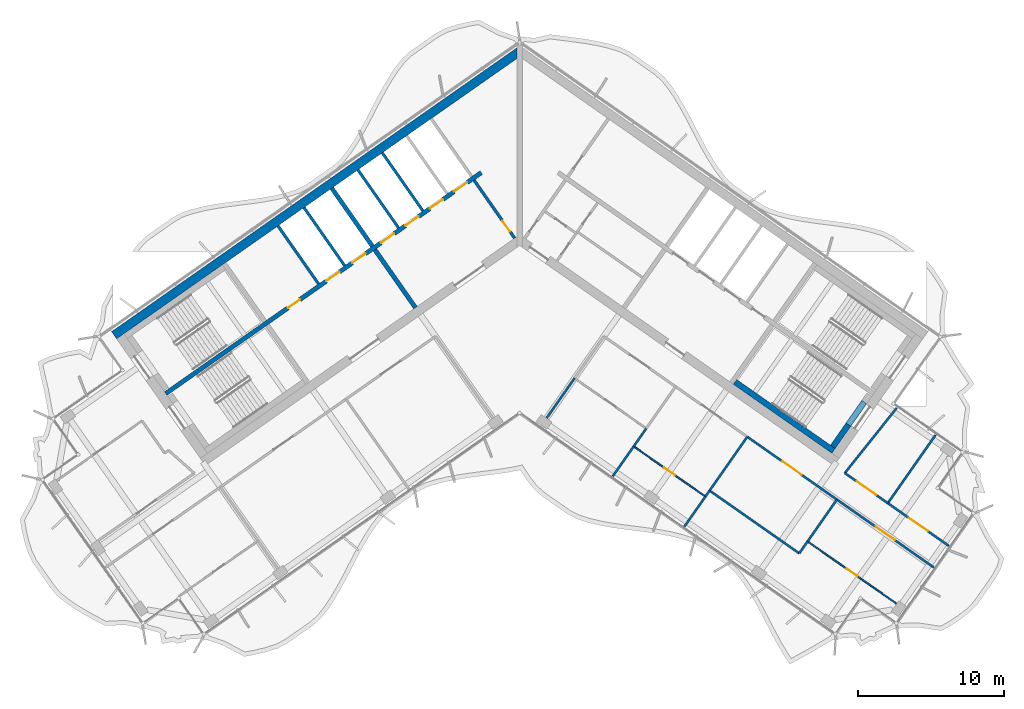
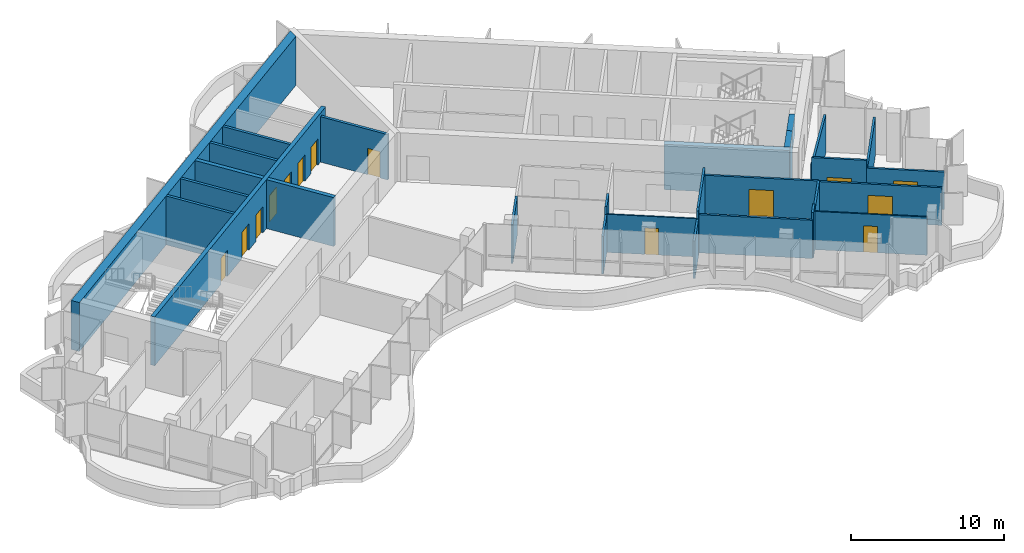
# One storey, part 10 of 18: 29 walls, 14 doors, 14 openings.
"""IFC4 building model written with IfcOpenShell, lengths in metres."""

from ifc_helpers import new_model, si_unit, direction, frame, frame_2d, origin, place, context, subcontext, project, spatial, polyline, rectangle, outline, extrude, material, layer, layer_set, type_object, element, fill, save


model = new_model("IFC4")

# Units and contexts
model_context = context("Model", 3, precision=1e-05, world=origin(), true_north=direction((0.0, 1.0)))
body_context = subcontext(model_context, "Body", "Model", "MODEL_VIEW")
ifc_project = project(units=[si_unit("LENGTHUNIT", "METRE"), si_unit("AREAUNIT", "SQUARE_METRE"), si_unit("VOLUMEUNIT", "CUBIC_METRE"), si_unit("PLANEANGLEUNIT", "RADIAN"), si_unit("MASSUNIT", "GRAM", prefix="KILO")], contexts=[model_context])

# Site, building, storey
site_placement = place(None, origin())
site = spatial("IfcSite", under=ifc_project, at=site_placement, CompositionType="ELEMENT")
building_placement = place(site_placement, origin())
building = spatial("IfcBuilding", under=site, at=building_placement, Name="Tel Ilan Convention Tower", CompositionType="ELEMENT")
storey_placement = place(building_placement, frame((0.0, 0.0, 252.699951171875)))
storey = spatial("IfcBuildingStorey", under=building, at=storey_placement, Name="L59", CompositionType="ELEMENT", Elevation=252.699951171875)

# Wall, opening, door
ifc_material_1 = material(Name="Concrete C30/37", Category="concrete")
ifc_layer_1 = layer(ifc_material_1, 0.199951171875)
ifc_layer_set_1 = layer_set([ifc_layer_1], Name="Core Service Room Wall 200 mm C30/37")
wall_type_1 = type_object("IfcWallType", Name="Core Service Room Wall 200 mm C30/37", PredefinedType="SOLIDWALL", material=ifc_layer_set_1)
wall_1_placement = place(storey_placement, frame((-0.343994140625, -0.729248046875, 0.0), z_axis=(0.0, 0.0, 1.0), x_axis=(-0.573560315113, 0.819163332265, 0.0)))
wall_1 = element("IfcWall", 1, at=wall_1_placement, inside=storey, type_object=wall_type_1, Name="L59 core wall apex-W", PredefinedType="SOLIDWALL", context=body_context, shape_type="SweptSolid", body=[
    extrude(rectangle(XDim=4.849853515625, YDim=0.199951171875, at=frame_2d((2.4248046875, 0.0))), origin(), (0.0, 0.0, 1.0), 3.6201171875),
])
opening_1_placement = place(wall_1_placement, frame((0.550048828125, 0.0, 0.0)))
opening_1 = element("IfcOpeningElement", 2, at=opening_1_placement, cuts=wall_1, Name="Opening CD4602", PredefinedType="OPENING", context=body_context, shape_type="SweptSolid", body=[
    extrude(rectangle(XDim=0.89990234375, YDim=2.10009765625, at=frame_2d((0.449951171875, 1.050048828125))), frame((0.0, 0.10986328125, 0.0), z_axis=(0.0, -1.0, 0.0), x_axis=(1.0, 0.0, 0.0)), (0.0, 0.0, 1.0), 0.219970703125),
])
ifc_material_2 = material(Name="Galvanised Steel Door Leaf", Category="steel")
door_type_1 = type_object("IfcDoorType", Name="Service Room Door 900 x 2100 FD60", OperationType="NOTDEFINED", PredefinedType="DOOR", material=ifc_material_2)
door_1_placement = place(opening_1_placement, origin())
door_1 = element("IfcDoor", 3, at=door_1_placement, inside=storey, type_object=door_type_1, Name="Electrical Room door", OperationType="SINGLE_SWING_RIGHT", OverallHeight=2.10009765625, OverallWidth=0.89990234375, PredefinedType="DOOR", context=body_context, shape_type="SweptSolid", body=[
    extrude(rectangle(XDim=0.89990234375, YDim=2.10009765625, at=frame_2d((0.449951171875, 1.050048828125))), frame((0.0, 0.02490234375, 0.0), z_axis=(0.0, -1.0, 0.0), x_axis=(1.0, 0.0, 0.0)), (0.0, 0.0, 1.0), 0.050048828125),
])
fill(opening_1, door_1)

# Walls
ifc_material_3 = material(Name="Concrete C40/50", Category="concrete")
ifc_layer_2 = layer(ifc_material_3, 0.300048828125)
ifc_layer_set_2 = layer_set([ifc_layer_2], Name="Core Shear Wall 300 mm C40/50")
wall_type_2 = type_object("IfcWallType", Name="Core Shear Wall 300 mm C40/50", PredefinedType="SHEAR", material=ifc_layer_set_2)
wall_2_placement = place(storey_placement, frame((-7.142822265625, -5.48974609375, 0.0), z_axis=(0.0, 0.0, 1.0), x_axis=(-0.573617744349, 0.819123118565, 0.0)))
element("IfcWall", 4, at=wall_2_placement, inside=storey, type_object=wall_type_2, Name="L59 core wall W-cross1-1", PredefinedType="SHEAR", context=body_context, shape_type="SweptSolid", body=[
    extrude(outline(polyline([(4.85009765625, 0.14990234375), (0.0, 0.150146484375), (0.0, -0.14990234375), (4.85009765625, -0.150146484375), (4.85009765625, 0.14990234375)])), origin(), (0.0, 0.0, 1.0), 3.900146484375),
])
wall_3_placement = place(storey_placement, frame((-10.096923828125, -1.271240234375, 0.0), z_axis=(0.0, 0.0, 1.0), x_axis=(-0.573560315113, 0.819163332265, 0.0)))
element("IfcWall", 5, at=wall_3_placement, inside=storey, type_object=wall_type_2, Name="L59 core wall W-cross1-2", PredefinedType="SHEAR", context=body_context, shape_type="SweptSolid", body=[
    extrude(outline(polyline([(4.849853515625, -0.14990234375), (4.849853515625, 0.150146484375), (0.0, 0.14990234375), (0.0, -0.150146484375), (4.849853515625, -0.14990234375)])), origin(), (0.0, 0.0, 1.0), 3.900146484375),
])

# Wall, openings, doors
wall_4_placement = place(storey_placement, frame((-2.638427734375, 3.76806640625, 0.0), z_axis=(0.0, 0.0, 1.0), x_axis=(-0.819155014212, -0.573572194837, 0.0)))
wall_4 = element("IfcWall", 6, at=wall_4_placement, inside=storey, type_object=wall_type_2, Name="L59 core wall W-spine", PredefinedType="SHEAR", context=body_context, shape_type="SweptSolid", body=[
    extrude(outline(polyline([(26.39990234375, 0.150146484375), (0.0, 0.14990234375), (0.0, -0.150146484375), (26.39990234375, -0.14990234375), (26.39990234375, 0.150146484375)])), origin(), (0.0, 0.0, 1.0), 3.900146484375),
])
opening_2_placement = place(wall_4_placement, frame((1.168701171875, 0.0, 0.0)))
opening_2 = element("IfcOpeningElement", 7, at=opening_2_placement, cuts=wall_4, Name="Opening LD4604", PredefinedType="OPENING", context=body_context, shape_type="SweptSolid", body=[
    extrude(rectangle(XDim=1.10009765625, YDim=2.10009765625, at=frame_2d((0.550048828125, 1.050048828125))), frame((0.0, 0.159912109375, 0.0), z_axis=(0.0, -1.0, 0.0), x_axis=(1.0, 0.0, 0.0)), (0.0, 0.0, 1.0), 0.320068359375),
])
opening_3_placement = place(wall_4_placement, frame((3.206298828125, 0.0, 0.0)))
opening_3 = element("IfcOpeningElement", 8, at=opening_3_placement, cuts=wall_4, Name="Opening LD4605", PredefinedType="OPENING", context=body_context, shape_type="SweptSolid", body=[
    extrude(rectangle(XDim=1.10009765625, YDim=2.10009765625, at=frame_2d((0.550048828125, 1.050048828125))), frame((0.0, 0.159912109375, 0.0), z_axis=(0.0, -1.0, 0.0), x_axis=(1.0, 0.0, 0.0)), (0.0, 0.0, 1.0), 0.320068359375),
])
opening_4_placement = place(wall_4_placement, frame((5.24365234375, 0.0, 0.0)))
opening_4 = element("IfcOpeningElement", 9, at=opening_4_placement, cuts=wall_4, Name="Opening LD4606", PredefinedType="OPENING", context=body_context, shape_type="SweptSolid", body=[
    extrude(rectangle(XDim=1.10009765625, YDim=2.10009765625, at=frame_2d((0.550048828125, 1.050048828125))), frame((0.0, 0.159912109375, 0.0), z_axis=(0.0, -1.0, 0.0), x_axis=(1.0, 0.0, 0.0)), (0.0, 0.0, 1.0), 0.320068359375),
])
opening_5_placement = place(wall_4_placement, frame((7.28125, 0.0, 0.0)))
opening_5 = element("IfcOpeningElement", 10, at=opening_5_placement, cuts=wall_4, Name="Opening LD4607", PredefinedType="OPENING", context=body_context, shape_type="SweptSolid", body=[
    extrude(rectangle(XDim=1.10009765625, YDim=2.10009765625, at=frame_2d((0.550048828125, 1.050048828125))), frame((0.0, 0.159912109375, 0.0), z_axis=(0.0, -1.0, 0.0), x_axis=(1.0, 0.0, 0.0)), (0.0, 0.0, 1.0), 0.320068359375),
])
opening_6_placement = place(wall_4_placement, frame((9.6875, 0.0, 0.0)))
opening_6 = element("IfcOpeningElement", 11, at=opening_6_placement, cuts=wall_4, Name="Opening LD4608", PredefinedType="OPENING", context=body_context, shape_type="SweptSolid", body=[
    extrude(rectangle(XDim=1.10009765625, YDim=2.10009765625, at=frame_2d((0.550048828125, 1.050048828125))), frame((0.0, 0.159912109375, 0.0), z_axis=(0.0, -1.0, 0.0), x_axis=(1.0, 0.0, 0.0)), (0.0, 0.0, 1.0), 0.320068359375),
])
opening_7_placement = place(wall_4_placement, frame((11.862548828125, 0.0, 0.0)))
opening_7 = element("IfcOpeningElement", 12, at=opening_7_placement, cuts=wall_4, Name="Opening LD4609", PredefinedType="OPENING", context=body_context, shape_type="SweptSolid", body=[
    extrude(rectangle(XDim=1.10009765625, YDim=2.10009765625, at=frame_2d((0.550048828125, 1.050048828125))), frame((0.0, 0.159912109375, 0.0), z_axis=(0.0, -1.0, 0.0), x_axis=(1.0, 0.0, 0.0)), (0.0, 0.0, 1.0), 0.320068359375),
])
opening_8_placement = place(wall_4_placement, frame((15.175048828125, 0.0, 0.0)))
opening_8 = element("IfcOpeningElement", 13, at=opening_8_placement, cuts=wall_4, Name="Opening CD4609", PredefinedType="OPENING", context=body_context, shape_type="SweptSolid", body=[
    extrude(rectangle(XDim=1.0, YDim=2.10009765625, at=frame_2d((0.5, 1.050048828125))), frame((0.0, 0.159912109375, 0.0), z_axis=(0.0, -1.0, 0.0), x_axis=(1.0, 0.0, 0.0)), (0.0, 0.0, 1.0), 0.320068359375),
])
ifc_material_4 = material(Name="Stainless Steel Sliding Door Leaf", Category="steel")
door_type_2 = type_object("IfcDoorType", Name="Lift Landing Door 1100 x 2100 FD120", OperationType="NOTDEFINED", PredefinedType="DOOR", material=ifc_material_4)
door_2_placement = place(opening_2_placement, origin())
door_2 = element("IfcDoor", 14, at=door_2_placement, inside=storey, type_object=door_type_2, Name="Lift HR1 landing door", OperationType="SLIDING_TO_LEFT", OverallHeight=2.10009765625, OverallWidth=1.10009765625, PredefinedType="DOOR", context=body_context, shape_type="SweptSolid", body=[
    extrude(rectangle(XDim=1.10009765625, YDim=2.10009765625, at=frame_2d((0.550048828125, 1.050048828125))), frame((0.0, 0.02490234375, 0.0), z_axis=(0.0, -1.0, 0.0), x_axis=(1.0, 0.0, 0.0)), (0.0, 0.0, 1.0), 0.050048828125),
])
fill(opening_2, door_2)
door_3_placement = place(opening_3_placement, origin())
door_3 = element("IfcDoor", 15, at=door_3_placement, inside=storey, type_object=door_type_2, Name="Lift HR2 landing door", OperationType="SLIDING_TO_RIGHT", OverallHeight=2.10009765625, OverallWidth=1.10009765625, PredefinedType="DOOR", context=body_context, shape_type="SweptSolid", body=[
    extrude(rectangle(XDim=1.10009765625, YDim=2.10009765625, at=frame_2d((0.550048828125, 1.050048828125))), frame((0.0, 0.02490234375, 0.0), z_axis=(0.0, -1.0, 0.0), x_axis=(1.0, 0.0, 0.0)), (0.0, 0.0, 1.0), 0.050048828125),
])
fill(opening_3, door_3)
door_4_placement = place(opening_4_placement, origin())
door_4 = element("IfcDoor", 16, at=door_4_placement, inside=storey, type_object=door_type_2, Name="Lift HR3 landing door", OperationType="SLIDING_TO_LEFT", OverallHeight=2.10009765625, OverallWidth=1.10009765625, PredefinedType="DOOR", context=body_context, shape_type="SweptSolid", body=[
    extrude(rectangle(XDim=1.10009765625, YDim=2.10009765625, at=frame_2d((0.550048828125, 1.050048828125))), frame((0.0, 0.02490234375, 0.0), z_axis=(0.0, -1.0, 0.0), x_axis=(1.0, 0.0, 0.0)), (0.0, 0.0, 1.0), 0.050048828125),
])
fill(opening_4, door_4)
door_5_placement = place(opening_5_placement, origin())
door_5 = element("IfcDoor", 17, at=door_5_placement, inside=storey, type_object=door_type_2, Name="Lift HR4 landing door", OperationType="SLIDING_TO_RIGHT", OverallHeight=2.10009765625, OverallWidth=1.10009765625, PredefinedType="DOOR", context=body_context, shape_type="SweptSolid", body=[
    extrude(rectangle(XDim=1.10009765625, YDim=2.10009765625, at=frame_2d((0.550048828125, 1.050048828125))), frame((0.0, 0.02490234375, 0.0), z_axis=(0.0, -1.0, 0.0), x_axis=(1.0, 0.0, 0.0)), (0.0, 0.0, 1.0), 0.050048828125),
])
fill(opening_5, door_5)
door_6_placement = place(opening_6_placement, origin())
door_6 = element("IfcDoor", 18, at=door_6_placement, inside=storey, type_object=door_type_2, Name="Lift HR5 landing door", OperationType="SLIDING_TO_LEFT", OverallHeight=2.10009765625, OverallWidth=1.10009765625, PredefinedType="DOOR", context=body_context, shape_type="SweptSolid", body=[
    extrude(rectangle(XDim=1.10009765625, YDim=2.10009765625, at=frame_2d((0.550048828125, 1.050048828125))), frame((0.0, 0.02490234375, 0.0), z_axis=(0.0, -1.0, 0.0), x_axis=(1.0, 0.0, 0.0)), (0.0, 0.0, 1.0), 0.050048828125),
])
fill(opening_6, door_6)
door_7_placement = place(opening_7_placement, origin())
door_7 = element("IfcDoor", 19, at=door_7_placement, inside=storey, type_object=door_type_2, Name="Lift HR6 landing door", OperationType="SLIDING_TO_RIGHT", OverallHeight=2.10009765625, OverallWidth=1.10009765625, PredefinedType="DOOR", context=body_context, shape_type="SweptSolid", body=[
    extrude(rectangle(XDim=1.10009765625, YDim=2.10009765625, at=frame_2d((0.550048828125, 1.050048828125))), frame((0.0, 0.02490234375, 0.0), z_axis=(0.0, -1.0, 0.0), x_axis=(1.0, 0.0, 0.0)), (0.0, 0.0, 1.0), 0.050048828125),
])
fill(opening_7, door_7)
ifc_material_5 = material(Name="Galvanised Steel Door Leaf", Category="steel")
door_type_3 = type_object("IfcDoorType", Name="Service Room Door 1000 x 2100 FD60", OperationType="NOTDEFINED", PredefinedType="DOOR", material=ifc_material_5)
door_8_placement = place(opening_8_placement, origin())
door_8 = element("IfcDoor", 20, at=door_8_placement, inside=storey, type_object=door_type_3, Name="Plant Room door", OperationType="SINGLE_SWING_RIGHT", OverallHeight=2.10009765625, OverallWidth=1.0, PredefinedType="DOOR", context=body_context, shape_type="SweptSolid", body=[
    extrude(rectangle(XDim=1.0, YDim=2.10009765625, at=frame_2d((0.5, 1.050048828125))), frame((0.0, 0.02490234375, 0.0), z_axis=(0.0, -1.0, 0.0), x_axis=(1.0, 0.0, 0.0)), (0.0, 0.0, 1.0), 0.050048828125),
])
fill(opening_8, door_8)

# Wall
ifc_material_6 = material(Name="Concrete C40/50", Category="concrete")
ifc_layer_3 = layer(ifc_material_6, 0.60009765625)
ifc_layer_set_3 = layer_set([ifc_layer_3], Name="Core Shear Wall 600 mm C40/50")
wall_type_3 = type_object("IfcWallType", Name="Core Shear Wall 600 mm C40/50", PredefinedType="SHEAR", material=ifc_layer_set_3)
wall_5_placement = place(storey_placement, frame((-0.02783203125, 12.066162109375, 0.0), z_axis=(0.0, 0.0, 1.0), x_axis=(-0.819151382952, -0.573577380837, 0.0)))
element("IfcWall", 21, at=wall_5_placement, inside=storey, type_object=wall_type_3, Name="L59 core wall W-back", PredefinedType="SHEAR", context=body_context, shape_type="SweptSolid", body=[
    extrude(outline(polyline([(33.89794921875, 0.300048828125), (0.420166015625, 0.300048828125), (0.0, -0.300048828125), (33.898193359375, -0.300048828125), (33.89794921875, 0.300048828125)])), origin(), (0.0, 0.0, 1.0), 3.900146484375),
])

# Wall, opening, door
ifc_material_7 = material(Name="Plasterboard on Steel Studs", Category="steel")
ifc_layer_4 = layer(ifc_material_7, 0.14990234375)
ifc_layer_set_4 = layer_set([ifc_layer_4], Name="Fire-rated Partition 150 EI 60")
wall_type_4 = type_object("IfcWallType", Name="Fire-rated Partition 150 EI 60", PredefinedType="PARTITIONING", material=ifc_layer_set_4)
wall_6_placement = place(storey_placement, frame((22.280517578125, -16.82177734375, 0.0), z_axis=(0.0, 0.0, 1.0), x_axis=(0.819165052243, -0.573557858619, 0.0)))
wall_6 = element("IfcWall", 22, at=wall_6_placement, inside=storey, type_object=wall_type_4, Name="Partition 001", PredefinedType="PARTITIONING", context=body_context, shape_type="SweptSolid", body=[
    extrude(rectangle(XDim=3.602294921875, YDim=0.14990234375, at=frame_2d((1.80126953125, 0.0))), origin(), (0.0, 0.0, 1.0), 3.6201171875),
])
opening_9_placement = place(wall_6_placement, frame((1.001220703125, 0.0, 0.0)))
opening_9 = element("IfcOpeningElement", 23, at=opening_9_placement, cuts=wall_6, Name="Opening L59-014", PredefinedType="OPENING", context=body_context, shape_type="SweptSolid", body=[
    extrude(rectangle(XDim=1.60009765625, YDim=2.10009765625, at=frame_2d((0.800048828125, 1.050048828125))), frame((0.0, 0.0849609375, 0.0), z_axis=(0.0, -1.0, 0.0), x_axis=(1.0, 0.0, 0.0)), (0.0, 0.0, 1.0), 0.169921875),
])
ifc_material_8 = material(Name="Timber Door Leaf in Steel Frame", Category="steel")
door_type_4 = type_object("IfcDoorType", Name="Tenant Suite Entrance Fire Door 1600x2100", OperationType="NOTDEFINED", PredefinedType="DOOR", material=ifc_material_8)
door_9_placement = place(opening_9_placement, origin())
door_9 = element("IfcDoor", 24, at=door_9_placement, inside=storey, type_object=door_type_4, Name="Door L59-014", OperationType="DOUBLE_DOOR_SINGLE_SWING", OverallHeight=2.10009765625, OverallWidth=1.60009765625, PredefinedType="DOOR", context=body_context, shape_type="SweptSolid", body=[
    extrude(rectangle(XDim=1.60009765625, YDim=2.10009765625, at=frame_2d((0.800048828125, 1.050048828125))), frame((0.0, 0.02490234375, 0.0), z_axis=(0.0, -1.0, 0.0), x_axis=(1.0, 0.0, 0.0)), (0.0, 0.0, 1.0), 0.050048828125),
])
fill(opening_9, door_9)

wall_7_placement = place(storey_placement, frame((25.22802734375, -18.8857421875, 0.0), z_axis=(0.0, 0.0, 1.0), x_axis=(0.819171218287, -0.57354905207, 0.0)))
wall_7 = element("IfcWall", 25, at=wall_7_placement, inside=storey, type_object=wall_type_4, Name="Partition 002", PredefinedType="PARTITIONING", context=body_context, shape_type="SweptSolid", body=[
    extrude(rectangle(XDim=5.10205078125, YDim=0.14990234375, at=frame_2d((2.551025390625, 0.0))), origin(), (0.0, 0.0, 1.0), 3.0),
])
opening_10_placement = place(wall_7_placement, frame((1.7509765625, 0.0, 0.0)))
opening_10 = element("IfcOpeningElement", 26, at=opening_10_placement, cuts=wall_7, Name="Opening L59-015", PredefinedType="OPENING", context=body_context, shape_type="SweptSolid", body=[
    extrude(rectangle(XDim=1.60009765625, YDim=2.10009765625, at=frame_2d((0.800048828125, 1.050048828125))), frame((0.0, 0.0849609375, 0.0), z_axis=(0.0, -1.0, 0.0), x_axis=(1.0, 0.0, 0.0)), (0.0, 0.0, 1.0), 0.169921875),
])
door_10_placement = place(opening_10_placement, origin())
door_10 = element("IfcDoor", 27, at=door_10_placement, inside=storey, type_object=door_type_4, Name="Door L59-015", OperationType="DOUBLE_DOOR_SINGLE_SWING", OverallHeight=2.10009765625, OverallWidth=1.60009765625, PredefinedType="DOOR", context=body_context, shape_type="SweptSolid", body=[
    extrude(rectangle(XDim=1.60009765625, YDim=2.10009765625, at=frame_2d((0.800048828125, 1.050048828125))), frame((0.0, 0.02490234375, 0.0), z_axis=(0.0, -1.0, 0.0), x_axis=(1.0, 0.0, 0.0)), (0.0, 0.0, 1.0), 0.050048828125),
])
fill(opening_10, door_10)

wall_8_placement = place(storey_placement, frame((21.741455078125, -18.6416015625, 0.0), z_axis=(0.0, 0.0, 1.0), x_axis=(-0.819164661457, 0.573558416746, 0.0)))
wall_8 = element("IfcWall", 28, at=wall_8_placement, inside=storey, type_object=wall_type_4, Name="Partition 005", PredefinedType="PARTITIONING", context=body_context, shape_type="SweptSolid", body=[
    extrude(rectangle(XDim=7.50390625, YDim=0.14990234375, at=frame_2d((3.751953125, 0.0))), origin(), (0.0, 0.0, 1.0), 3.050048828125),
])
opening_11_placement = place(wall_8_placement, frame((2.951904296875, 0.0, 0.0)))
opening_11 = element("IfcOpeningElement", 29, at=opening_11_placement, cuts=wall_8, Name="Opening L59-011", PredefinedType="OPENING", context=body_context, shape_type="SweptSolid", body=[
    extrude(rectangle(XDim=1.60009765625, YDim=2.10009765625, at=frame_2d((0.800048828125, 1.050048828125))), frame((0.0, 0.0849609375, 0.0), z_axis=(0.0, -1.0, 0.0), x_axis=(1.0, 0.0, 0.0)), (0.0, 0.0, 1.0), 0.169921875),
])
door_11_placement = place(opening_11_placement, origin())
door_11 = element("IfcDoor", 30, at=door_11_placement, inside=storey, type_object=door_type_4, Name="Door L59-011", OperationType="DOUBLE_DOOR_SINGLE_SWING", OverallHeight=2.10009765625, OverallWidth=1.60009765625, PredefinedType="DOOR", context=body_context, shape_type="SweptSolid", body=[
    extrude(rectangle(XDim=1.60009765625, YDim=2.10009765625, at=frame_2d((0.800048828125, 1.050048828125))), frame((0.0, 0.02490234375, 0.0), z_axis=(0.0, -1.0, 0.0), x_axis=(1.0, 0.0, 0.0)), (0.0, 0.0, 1.0), 0.050048828125),
])
fill(opening_11, door_11)

wall_9_placement = place(storey_placement, frame((28.375, -23.28662109375, 0.0), z_axis=(0.0, 0.0, 1.0), x_axis=(-0.819144140048, 0.573587724611, 0.0)))
wall_9 = element("IfcWall", 31, at=wall_9_placement, inside=storey, type_object=wall_type_4, Name="Partition 006", PredefinedType="PARTITIONING", context=body_context, shape_type="SweptSolid", body=[
    extrude(rectangle(XDim=8.10205078125, YDim=0.14990234375, at=frame_2d((4.051025390625, 0.0))), origin(), (0.0, 0.0, 1.0), 3.0),
])
opening_12_placement = place(wall_9_placement, frame((3.2509765625, 0.0, 0.0)))
opening_12 = element("IfcOpeningElement", 32, at=opening_12_placement, cuts=wall_9, Name="Opening L59-012", PredefinedType="OPENING", context=body_context, shape_type="SweptSolid", body=[
    extrude(rectangle(XDim=1.60009765625, YDim=2.10009765625, at=frame_2d((0.800048828125, 1.050048828125))), frame((0.0, 0.0849609375, 0.0), z_axis=(0.0, -1.0, 0.0), x_axis=(1.0, 0.0, 0.0)), (0.0, 0.0, 1.0), 0.169921875),
])
door_12_placement = place(opening_12_placement, origin())
door_12 = element("IfcDoor", 33, at=door_12_placement, inside=storey, type_object=door_type_4, Name="Door L59-012", OperationType="DOUBLE_DOOR_SINGLE_SWING", OverallHeight=2.10009765625, OverallWidth=1.60009765625, PredefinedType="DOOR", context=body_context, shape_type="SweptSolid", body=[
    extrude(rectangle(XDim=1.60009765625, YDim=2.10009765625, at=frame_2d((0.800048828125, 1.050048828125))), frame((0.0, 0.02490234375, 0.0), z_axis=(0.0, -1.0, 0.0), x_axis=(1.0, 0.0, 0.0)), (0.0, 0.0, 1.0), 0.050048828125),
])
fill(opening_12, door_12)

# Walls
wall_10_placement = place(storey_placement, frame((28.4990234375, -14.217529296875, 0.0), z_axis=(0.0, 0.0, 1.0), x_axis=(-0.573562952056, -0.819161485929, 0.0)))
element("IfcWall", 34, at=wall_10_placement, inside=storey, type_object=wall_type_4, Name="Partition 011", PredefinedType="PARTITIONING", context=body_context, shape_type="SweptSolid", body=[
    extrude(rectangle(XDim=5.699951171875, YDim=0.14990234375, at=frame_2d((2.85009765625, 0.0))), origin(), (0.0, 0.0, 1.0), 3.050048828125),
])
wall_11_placement = place(storey_placement, frame((22.2822265625, -16.822998046875, 0.0), z_axis=(0.0, 0.0, 1.0), x_axis=(0.623563137477, 0.781772993637, 0.0)))
element("IfcWall", 35, at=wall_11_placement, inside=storey, type_object=wall_type_4, Name="Partition 012", PredefinedType="PARTITIONING", context=body_context, shape_type="SweptSolid", body=[
    extrude(rectangle(XDim=5.711181640625, YDim=0.14990234375, at=frame_2d((2.85546875, 0.0))), origin(), (0.0, 0.0, 1.0), 3.050048828125),
])
wall_12_placement = place(storey_placement, frame((7.81396484375, -14.9921875, 0.0), z_axis=(0.0, 0.0, 1.0), x_axis=(-0.57356715775, -0.819158541157, 0.0)))
element("IfcWall", 36, at=wall_12_placement, inside=storey, type_object=wall_type_4, Name="Partition 014", PredefinedType="PARTITIONING", context=body_context, shape_type="SweptSolid", body=[
    extrude(rectangle(XDim=2.501220703125, YDim=0.14990234375, at=frame_2d((1.25048828125, 0.0))), origin(), (0.0, 0.0, 1.0), 3.0),
])
wall_13_placement = place(storey_placement, frame((8.673095703125, -13.76513671875, 0.0), z_axis=(0.0, 0.0, 1.0), x_axis=(-0.573549676934, -0.819170780783, 0.0)))
element("IfcWall", 37, at=wall_13_placement, inside=storey, type_object=wall_type_4, Name="Partition 015", PredefinedType="PARTITIONING", context=body_context, shape_type="SweptSolid", body=[
    extrude(rectangle(XDim=1.5009765625, YDim=0.14990234375, at=frame_2d((0.75048828125, 0.0))), origin(), (0.0, 0.0, 1.0), 3.6201171875),
])
wall_14_placement = place(storey_placement, frame((1.848876953125, -13.050537109375, 0.0), z_axis=(0.0, 0.0, 1.0), x_axis=(0.573595235521, 0.819138880647, 0.0)))
element("IfcWall", 38, at=wall_14_placement, inside=storey, type_object=wall_type_4, Name="Partition 016", PredefinedType="PARTITIONING", context=body_context, shape_type="SweptSolid", body=[
    extrude(rectangle(XDim=3.328857421875, YDim=0.14990234375, at=frame_2d((1.66455078125, 0.0))), origin(), (0.0, 0.0, 1.0), 3.050048828125),
])
wall_15_placement = place(storey_placement, frame((12.727783203125, -18.435302734375, 0.0), z_axis=(0.0, 0.0, 1.0), x_axis=(-0.573560689761, -0.819163069945, 0.0)))
element("IfcWall", 39, at=wall_15_placement, inside=storey, type_object=wall_type_4, Name="Partition 020", PredefinedType="PARTITIONING", context=body_context, shape_type="SweptSolid", body=[
    extrude(rectangle(XDim=2.4990234375, YDim=0.14990234375, at=frame_2d((1.24951171875, 0.0))), origin(), (0.0, 0.0, 1.0), 3.0),
])
wall_16_placement = place(storey_placement, frame((15.59619140625, -14.338623046875, 0.0), z_axis=(0.0, 0.0, 1.0), x_axis=(-0.573564243949, -0.819160581365, 0.0)))
element("IfcWall", 40, at=wall_16_placement, inside=storey, type_object=wall_type_4, Name="Partition 021", PredefinedType="PARTITIONING", context=body_context, shape_type="SweptSolid", body=[
    extrude(rectangle(XDim=4.502197265625, YDim=0.14990234375, at=frame_2d((2.2509765625, 0.0))), origin(), (0.0, 0.0, 1.0), 3.6201171875),
])
wall_17_placement = place(storey_placement, frame((13.015625, -18.024169921875, 0.0), z_axis=(0.0, 0.0, 1.0), x_axis=(-0.573560455774, -0.819163233777, 0.0)))
element("IfcWall", 41, at=wall_17_placement, inside=storey, type_object=wall_type_4, Name="Partition 022", PredefinedType="PARTITIONING", context=body_context, shape_type="SweptSolid", body=[
    extrude(rectangle(XDim=0.5009765625, YDim=0.14990234375, at=frame_2d((0.25048828125, 0.0))), origin(), (0.0, 0.0, 1.0), 3.6201171875),
])
wall_18_placement = place(storey_placement, frame((19.73291015625, -21.5068359375, 0.0), z_axis=(0.0, 0.0, 1.0), x_axis=(-0.573691505171, -0.819071460188, 0.0)))
element("IfcWall", 42, at=wall_18_placement, inside=storey, type_object=wall_type_4, Name="Partition 023", PredefinedType="PARTITIONING", context=body_context, shape_type="SweptSolid", body=[
    extrude(rectangle(XDim=1.0009765625, YDim=0.14990234375, at=frame_2d((0.50048828125, 0.0))), origin(), (0.0, 0.0, 1.0), 3.6201171875),
])
wall_19_placement = place(storey_placement, frame((19.15869140625, -22.32666015625, 0.0), z_axis=(0.0, 0.0, 1.0), x_axis=(-0.81915238829, 0.573575945067, 0.0)))
element("IfcWall", 43, at=wall_19_placement, inside=storey, type_object=wall_type_4, Name="Partition 024", PredefinedType="PARTITIONING", context=body_context, shape_type="SweptSolid", body=[
    extrude(rectangle(XDim=7.5, YDim=0.14990234375, at=frame_2d((3.75, 0.0))), origin(), (0.0, 0.0, 1.0), 3.050048828125),
])
wall_20_placement = place(storey_placement, frame((21.73974609375, -18.640625, 0.0), z_axis=(0.0, 0.0, 1.0), x_axis=(-0.573555919535, -0.819166409935, 0.0)))
element("IfcWall", 44, at=wall_20_placement, inside=storey, type_object=wall_type_4, Name="Partition 025", PredefinedType="PARTITIONING", context=body_context, shape_type="SweptSolid", body=[
    extrude(rectangle(XDim=3.501953125, YDim=0.14990234375, at=frame_2d((1.7509765625, 0.0))), origin(), (0.0, 0.0, 1.0), 3.050048828125),
])
ifc_material_9 = material(Name="Concrete C30/37", Category="concrete")
ifc_layer_5 = layer(ifc_material_9, 0.199951171875)
ifc_layer_set_5 = layer_set([ifc_layer_5], Name="Lift Shaft Wall 200 mm C30/37")
wall_type_5 = type_object("IfcWallType", Name="Lift Shaft Wall 200 mm C30/37", PredefinedType="SOLIDWALL", material=ifc_layer_set_5)
wall_21_placement = place(storey_placement, frame((-6.635986328125, 1.152099609375, 0.0), z_axis=(0.0, 0.0, 1.0), x_axis=(-0.573560315113, 0.819163332265, 0.0)))
element("IfcWall", 45, at=wall_21_placement, inside=storey, type_object=wall_type_5, Name="L59 core wall bank-W1-p1", PredefinedType="SOLIDWALL", context=body_context, shape_type="SweptSolid", body=[
    extrude(rectangle(XDim=4.849853515625, YDim=0.199951171875, at=frame_2d((2.4248046875, 0.0))), origin(), (0.0, 0.0, 1.0), 3.900146484375),
])
wall_22_placement = place(storey_placement, frame((-8.304931640625, -0.0166015625, 0.0), z_axis=(0.0, 0.0, 1.0), x_axis=(-0.573594092424, 0.81913968109, 0.0)))
element("IfcWall", 46, at=wall_22_placement, inside=storey, type_object=wall_type_5, Name="L59 core wall bank-W1-p2", PredefinedType="SOLIDWALL", context=body_context, shape_type="SweptSolid", body=[
    extrude(rectangle(XDim=4.85009765625, YDim=0.199951171875, at=frame_2d((2.425048828125, 0.0))), origin(), (0.0, 0.0, 1.0), 3.900146484375),
])
wall_23_placement = place(storey_placement, frame((-12.00146484375, -2.604736328125, 0.0), z_axis=(0.0, 0.0, 1.0), x_axis=(-0.573560315113, 0.819163332265, 0.0)))
element("IfcWall", 47, at=wall_23_placement, inside=storey, type_object=wall_type_5, Name="L59 core wall bank-W2-p0", PredefinedType="SOLIDWALL", context=body_context, shape_type="SweptSolid", body=[
    extrude(rectangle(XDim=4.849853515625, YDim=0.199951171875, at=frame_2d((2.4248046875, 0.0))), origin(), (0.0, 0.0, 1.0), 3.900146484375),
])
wall_24_placement = place(storey_placement, frame((-13.782958984375, -3.852294921875, 0.0), z_axis=(0.0, 0.0, 1.0), x_axis=(-0.573594092424, 0.81913968109, 0.0)))
element("IfcWall", 48, at=wall_24_placement, inside=storey, type_object=wall_type_5, Name="L59 core wall bank-W2-p1", PredefinedType="SOLIDWALL", context=body_context, shape_type="SweptSolid", body=[
    extrude(rectangle(XDim=4.85009765625, YDim=0.199951171875, at=frame_2d((2.425048828125, 0.0))), origin(), (0.0, 0.0, 1.0), 3.900146484375),
])

# Wall, opening, door
ifc_material_10 = material(Name="Plasterboard on Steel Studs", Category="steel")
ifc_layer_6 = layer(ifc_material_10, 0.10009765625)
ifc_layer_set_6 = layer_set([ifc_layer_6], Name="Plasterboard Partition 100")
wall_type_6 = type_object("IfcWallType", Name="Plasterboard Partition 100", PredefinedType="PARTITIONING", material=ifc_layer_set_6)
wall_25_placement = place(storey_placement, frame((12.727783203125, -18.435302734375, 0.0), z_axis=(0.0, 0.0, 1.0), x_axis=(-0.819163097304, 0.573560650686, 0.0)))
wall_25 = element("IfcWall", 49, at=wall_25_placement, inside=storey, type_object=wall_type_6, Name="Partition 019", PredefinedType="PARTITIONING", context=body_context, shape_type="SweptSolid", body=[
    extrude(rectangle(XDim=6.0, YDim=0.10009765625, at=frame_2d((3.0, 0.0))), origin(), (0.0, 0.0, 1.0), 3.050048828125),
])
opening_13_placement = place(wall_25_placement, frame((2.550048828125, 0.0, 0.0)))
opening_13 = element("IfcOpeningElement", 50, at=opening_13_placement, cuts=wall_25, Name="Opening L59-010", PredefinedType="OPENING", context=body_context, shape_type="SweptSolid", body=[
    extrude(rectangle(XDim=0.89990234375, YDim=2.10009765625, at=frame_2d((0.449951171875, 1.050048828125))), frame((0.0, 0.06005859375, 0.0), z_axis=(0.0, -1.0, 0.0), x_axis=(1.0, 0.0, 0.0)), (0.0, 0.0, 1.0), 0.1201171875),
])
ifc_material_11 = material(Name="Timber Door Leaf in Steel Frame", Category="steel")
door_type_5 = type_object("IfcDoorType", Name="Room Timber Door 900x2100", OperationType="NOTDEFINED", PredefinedType="DOOR", material=ifc_material_11)
door_13_placement = place(opening_13_placement, origin())
door_13 = element("IfcDoor", 51, at=door_13_placement, inside=storey, type_object=door_type_5, Name="Door L59-010", OperationType="SINGLE_SWING_RIGHT", OverallHeight=2.10009765625, OverallWidth=0.89990234375, PredefinedType="DOOR", context=body_context, shape_type="SweptSolid", body=[
    extrude(rectangle(XDim=0.89990234375, YDim=2.10009765625, at=frame_2d((0.449951171875, 1.050048828125))), frame((0.0, 0.02490234375, 0.0), z_axis=(0.0, -1.0, 0.0), x_axis=(1.0, 0.0, 0.0)), (0.0, 0.0, 1.0), 0.050048828125),
])
fill(opening_13, door_13)

wall_26_placement = place(storey_placement, frame((25.818115234375, -25.77001953125, 0.0), z_axis=(0.0, 0.0, 1.0), x_axis=(-0.819154729426, 0.573572601559, 0.0)))
wall_26 = element("IfcWall", 52, at=wall_26_placement, inside=storey, type_object=wall_type_6, Name="Partition 026", PredefinedType="PARTITIONING", context=body_context, shape_type="SweptSolid", body=[
    extrude(rectangle(XDim=7.43017578125, YDim=0.10009765625, at=frame_2d((3.715087890625, 0.0))), origin(), (0.0, 0.0, 1.0), 3.050048828125),
])
opening_14_placement = place(wall_26_placement, frame((3.264892578125, 0.0, 0.0)))
opening_14 = element("IfcOpeningElement", 53, at=opening_14_placement, cuts=wall_26, Name="Opening L59-013", PredefinedType="OPENING", context=body_context, shape_type="SweptSolid", body=[
    extrude(rectangle(XDim=0.89990234375, YDim=2.10009765625, at=frame_2d((0.449951171875, 1.050048828125))), frame((0.0, 0.06005859375, 0.0), z_axis=(0.0, -1.0, 0.0), x_axis=(1.0, 0.0, 0.0)), (0.0, 0.0, 1.0), 0.1201171875),
])
door_14_placement = place(opening_14_placement, origin())
door_14 = element("IfcDoor", 54, at=door_14_placement, inside=storey, type_object=door_type_5, Name="Door L59-013", OperationType="SINGLE_SWING_RIGHT", OverallHeight=2.10009765625, OverallWidth=0.89990234375, PredefinedType="DOOR", context=body_context, shape_type="SweptSolid", body=[
    extrude(rectangle(XDim=0.89990234375, YDim=2.10009765625, at=frame_2d((0.449951171875, 1.050048828125))), frame((0.0, 0.02490234375, 0.0), z_axis=(0.0, -1.0, 0.0), x_axis=(1.0, 0.0, 0.0)), (0.0, 0.0, 1.0), 0.050048828125),
])
fill(opening_14, door_14)

# Walls
ifc_material_12 = material(Name="Concrete C30/37", Category="concrete")
ifc_layer_7 = layer(ifc_material_12, 0.39990234375)
ifc_layer_set_7 = layer_set([ifc_layer_7], Name="Stair and Shaft Lining Wall 400 mm C30/37")
wall_type_7 = type_object("IfcWallType", Name="Stair and Shaft Lining Wall 400 mm C30/37", PredefinedType="SOLIDWALL", material=ifc_layer_set_7)
wall_27_placement = place(storey_placement, frame((14.7529296875, -10.57421875, 0.0), z_axis=(0.0, 0.0, 1.0), x_axis=(0.819158229677, -0.573567602601, 0.0)))
element("IfcWall", 55, at=wall_27_placement, inside=storey, type_object=wall_type_7, Name="L59 core wall lining-S4-t0", PredefinedType="SOLIDWALL", context=body_context, shape_type="SweptSolid", body=[
    extrude(rectangle(XDim=8.25, YDim=0.39990234375, at=frame_2d((4.125, 0.0))), origin(), (0.0, 0.0, 1.0), 3.6201171875),
])
wall_28_placement = place(storey_placement, frame((21.4619140625, -15.027587890625, 0.0), z_axis=(0.0, 0.0, 1.0), x_axis=(0.573559770908, 0.819163713305, 0.0)))
element("IfcWall", 56, at=wall_28_placement, inside=storey, type_object=wall_type_7, Name="L59 core wall lining-S4-u1-0", PredefinedType="SOLIDWALL", context=body_context, shape_type="SweptSolid", body=[
    extrude(rectangle(XDim=1.849853515625, YDim=0.39990234375, at=frame_2d((0.9248046875, 0.0))), origin(), (0.0, 0.0, 1.0), 3.6201171875),
])
wall_29_placement = place(storey_placement, frame((22.52294921875, -13.51220703125, 2.150146484375), z_axis=(0.0, 0.0, 1.0), x_axis=(0.573591692345, 0.819141361715, 0.0)))
element("IfcWall", 57, at=wall_29_placement, inside=storey, type_object=wall_type_7, Name="L59 core wall lining-S4-u1-lintel", PredefinedType="SOLIDWALL", context=body_context, shape_type="SweptSolid", body=[
    extrude(rectangle(XDim=1.900146484375, YDim=0.39990234375, at=frame_2d((0.9501953125, 0.0))), origin(), (0.0, 0.0, 1.0), 1.469970703125),
])

save(model, "model.ifc")
